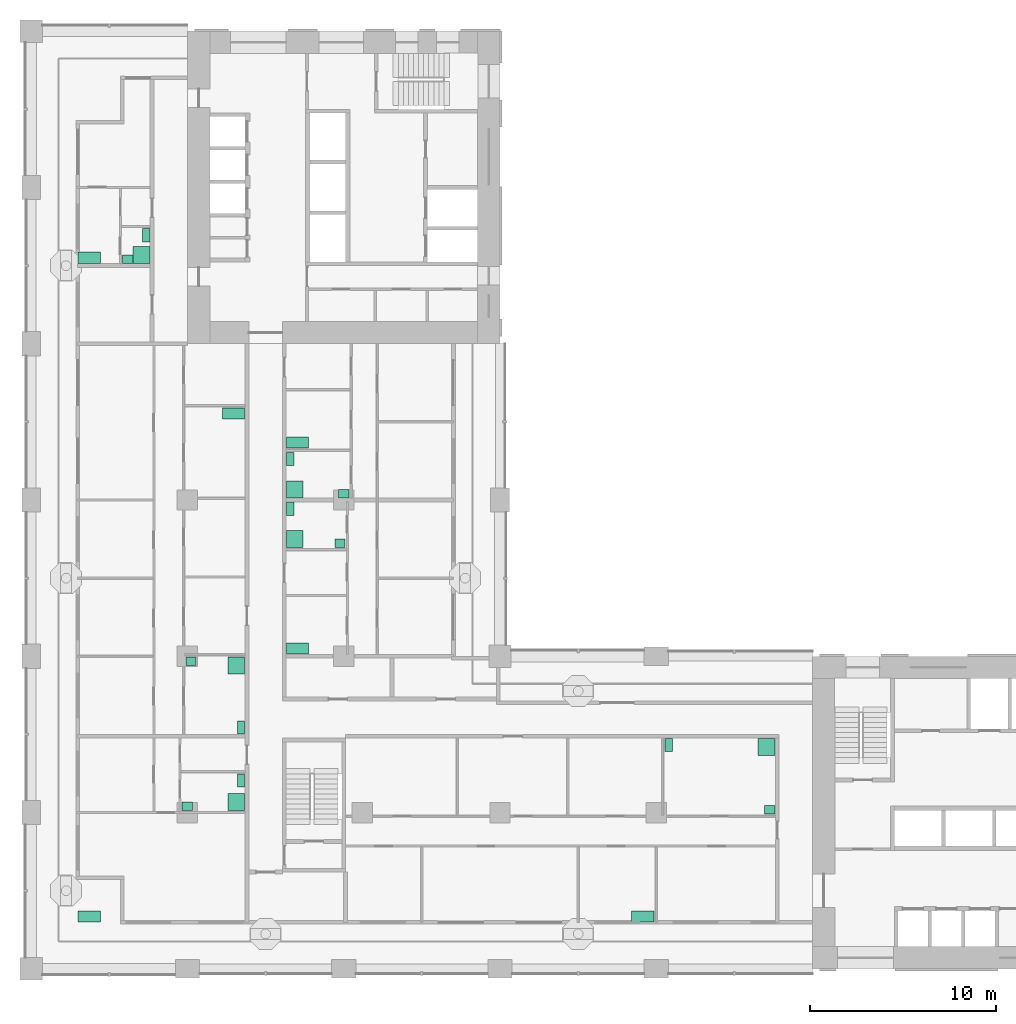
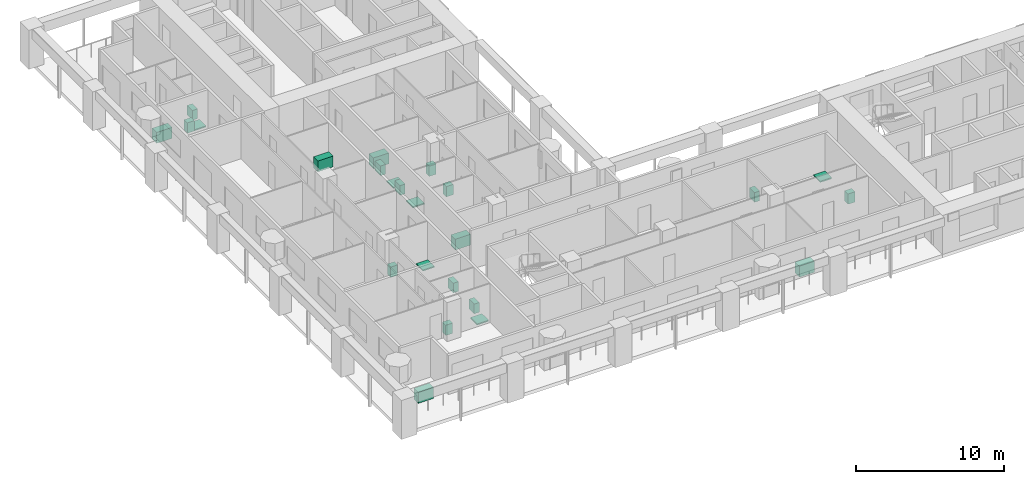
# One storey, part 16 of 18: 24 sanitary terminals.
"""IFC4 building model written with IfcOpenShell, lengths in metres."""

from ifc_helpers import new_model, si_unit, direction, frame, origin, origin_2d, place, context, subcontext, project, spatial, rectangle, extrude, material, element, save


model = new_model("IFC4")

# Units and contexts
model_context = context("Model", 3, precision=1e-05, world=origin(), true_north=direction((0.0, 1.0)))
body_context = subcontext(model_context, "Body", "Model", "MODEL_VIEW")
ifc_project = project(units=[si_unit("LENGTHUNIT", "METRE"), si_unit("AREAUNIT", "SQUARE_METRE"), si_unit("VOLUMEUNIT", "CUBIC_METRE"), si_unit("PLANEANGLEUNIT", "RADIAN"), si_unit("MASSUNIT", "GRAM", prefix="KILO")], contexts=[model_context])

# Site, building, storey
site_placement = place(None, origin())
site = spatial("IfcSite", under=ifc_project, at=site_placement, CompositionType="ELEMENT")
building_placement = place(site_placement, origin())
building = spatial("IfcBuilding", under=site, at=building_placement, Name="Vermilion Gate Residences", CompositionType="ELEMENT")
storey_placement = place(building_placement, frame((0.0, 0.0, 81.199951171875)))
storey = spatial("IfcBuildingStorey", under=building, at=storey_placement, Name="L19", CompositionType="ELEMENT", Elevation=81.199951171875)

# Sanitary terminals
ifc_material_1 = material(Name="Stainless steel", Category="steel")
sanitary_terminal_1_placement = place(storey_placement, frame((3.1201171875, 11.219970703125, 0.0), z_axis=(0.0, 0.0, 1.0), x_axis=(1.0, 0.0, 0.0)))
element("IfcSanitaryTerminal", 1, at=sanitary_terminal_1_placement, inside=storey, material=ifc_material_1, Name="Kitchen sink", PredefinedType="SINK", context=body_context, shape_type="SweptSolid", body=[
    extrude(rectangle(XDim=1.199951171875, YDim=0.60009765625, at=origin_2d()), origin(), (0.0, 0.0, 1.0), 0.89990234375),
])
ifc_material_2 = material(Name="Vitreous china")
sanitary_terminal_2_placement = place(storey_placement, frame((11.030029296875, 17.3701171875, 0.0), z_axis=(0.0, 0.0, 1.0), x_axis=(1.0, 0.0, 0.0)))
element("IfcSanitaryTerminal", 2, at=sanitary_terminal_2_placement, inside=storey, material=ifc_material_2, Name="Shower tray", PredefinedType="SHOWER", context=body_context, shape_type="SweptSolid", body=[
    extrude(rectangle(XDim=0.89990234375, YDim=0.89990234375, at=origin_2d()), origin(), (0.0, 0.0, 1.0), 0.10009765625),
])
sanitary_terminal_3_placement = place(storey_placement, frame((11.280029296875, 18.530029296875, 0.0), z_axis=(0.0, 0.0, 1.0), x_axis=(1.0, 0.0, 0.0)))
element("IfcSanitaryTerminal", 3, at=sanitary_terminal_3_placement, inside=storey, material=ifc_material_2, Name="Toilet", PredefinedType="TOILETPAN", context=body_context, shape_type="SweptSolid", body=[
    extrude(rectangle(XDim=0.39990234375, YDim=0.699951171875, at=origin_2d()), origin(), (0.0, 0.0, 1.0), 0.800048828125),
])
sanitary_terminal_4_placement = place(storey_placement, frame((8.39501953125, 17.14501953125, 0.0), z_axis=(0.0, 0.0, 1.0), x_axis=(1.0, 0.0, 0.0)))
element("IfcSanitaryTerminal", 4, at=sanitary_terminal_4_placement, inside=storey, material=ifc_material_2, Name="Wash basin", PredefinedType="WASHHANDBASIN", context=body_context, shape_type="SweptSolid", body=[
    extrude(rectangle(XDim=0.550048828125, YDim=0.449951171875, at=origin_2d()), origin(), (0.0, 0.0, 1.0), 0.85009765625),
])
sanitary_terminal_5_placement = place(storey_placement, frame((32.8798828125, 11.219970703125, 0.0), z_axis=(0.0, 0.0, 1.0), x_axis=(1.0, 0.0, 0.0)))
element("IfcSanitaryTerminal", 5, at=sanitary_terminal_5_placement, inside=storey, material=ifc_material_1, Name="Kitchen sink", PredefinedType="SINK", context=body_context, shape_type="SweptSolid", body=[
    extrude(rectangle(XDim=1.199951171875, YDim=0.60009765625, at=origin_2d()), origin(), (0.0, 0.0, 1.0), 0.89990234375),
])
sanitary_terminal_6_placement = place(storey_placement, frame((39.530029296875, 20.330078125, 0.0), z_axis=(0.0, 0.0, 1.0), x_axis=(1.0, 0.0, 0.0)))
element("IfcSanitaryTerminal", 6, at=sanitary_terminal_6_placement, inside=storey, material=ifc_material_2, Name="Shower tray", PredefinedType="SHOWER", context=body_context, shape_type="SweptSolid", body=[
    extrude(rectangle(XDim=0.89990234375, YDim=0.89990234375, at=origin_2d()), origin(), (0.0, 0.0, 1.0), 0.10009765625),
])
sanitary_terminal_7_placement = place(storey_placement, frame((34.27001953125, 20.429931640625, 0.0), z_axis=(0.0, 0.0, 1.0), x_axis=(1.0, 0.0, 0.0)))
element("IfcSanitaryTerminal", 7, at=sanitary_terminal_7_placement, inside=storey, material=ifc_material_2, Name="Toilet", PredefinedType="TOILETPAN", context=body_context, shape_type="SweptSolid", body=[
    extrude(rectangle(XDim=0.39990234375, YDim=0.699951171875, at=origin_2d()), origin(), (0.0, 0.0, 1.0), 0.800048828125),
])
sanitary_terminal_8_placement = place(storey_placement, frame((39.705078125, 16.945068359375, 0.0), z_axis=(0.0, 0.0, 1.0), x_axis=(1.0, 0.0, 0.0)))
element("IfcSanitaryTerminal", 8, at=sanitary_terminal_8_placement, inside=storey, material=ifc_material_2, Name="Wash basin", PredefinedType="WASHHANDBASIN", context=body_context, shape_type="SweptSolid", body=[
    extrude(rectangle(XDim=0.550048828125, YDim=0.449951171875, at=origin_2d()), origin(), (0.0, 0.0, 1.0), 0.85009765625),
])
sanitary_terminal_9_placement = place(storey_placement, frame((11.030029296875, 24.7099609375, 0.0), z_axis=(0.0, 0.0, 1.0), x_axis=(1.0, 0.0, 0.0)))
element("IfcSanitaryTerminal", 9, at=sanitary_terminal_9_placement, inside=storey, material=ifc_material_2, Name="Shower tray", PredefinedType="SHOWER", context=body_context, shape_type="SweptSolid", body=[
    extrude(rectangle(XDim=0.89990234375, YDim=0.89990234375, at=origin_2d()), origin(), (0.0, 0.0, 1.0), 0.10009765625),
])
sanitary_terminal_10_placement = place(storey_placement, frame((11.280029296875, 21.3701171875, 0.0), z_axis=(0.0, 0.0, 1.0), x_axis=(1.0, 0.0, 0.0)))
element("IfcSanitaryTerminal", 10, at=sanitary_terminal_10_placement, inside=storey, material=ifc_material_2, Name="Toilet", PredefinedType="TOILETPAN", context=body_context, shape_type="SweptSolid", body=[
    extrude(rectangle(XDim=0.39990234375, YDim=0.699951171875, at=origin_2d()), origin(), (0.0, 0.0, 1.0), 0.800048828125),
])
sanitary_terminal_11_placement = place(storey_placement, frame((8.594970703125, 24.93505859375, 0.0), z_axis=(0.0, 0.0, 1.0), x_axis=(1.0, 0.0, 0.0)))
element("IfcSanitaryTerminal", 11, at=sanitary_terminal_11_placement, inside=storey, material=ifc_material_2, Name="Wash basin", PredefinedType="WASHHANDBASIN", context=body_context, shape_type="SweptSolid", body=[
    extrude(rectangle(XDim=0.550048828125, YDim=0.449951171875, at=origin_2d()), origin(), (0.0, 0.0, 1.0), 0.85009765625),
])
for number, where, z_axis, x_axis, name in (
    (12, (10.8798828125, 38.25, 0.0), (0.0, 0.0, 1.0), (1.0, 0.0, 0.0), "Kitchen sink"),
    (13, (14.320068359375, 25.6201171875, 0.0), (0.0, 0.0, 1.0), (1.0, 0.0, 0.0), "Kitchen sink"),
):
    element("IfcSanitaryTerminal", number, at=place(storey_placement, frame(where, z_axis=z_axis, x_axis=x_axis)), inside=storey, material=ifc_material_1, Name=name, PredefinedType="SINK", context=body_context, shape_type="SweptSolid", body=[
        extrude(rectangle(XDim=1.199951171875, YDim=0.60009765625, at=origin_2d()), origin(), (0.0, 0.0, 1.0), 0.89990234375),
    ])
sanitary_terminal_12_placement = place(storey_placement, frame((14.169921875, 31.5029296875, 0.0), z_axis=(0.0, 0.0, 1.0), x_axis=(1.0, 0.0, 0.0)))
element("IfcSanitaryTerminal", 14, at=sanitary_terminal_12_placement, inside=storey, material=ifc_material_2, Name="Shower tray", PredefinedType="SHOWER", context=body_context, shape_type="SweptSolid", body=[
    extrude(rectangle(XDim=0.89990234375, YDim=0.89990234375, at=origin_2d()), origin(), (0.0, 0.0, 1.0), 0.10009765625),
])
sanitary_terminal_13_placement = place(storey_placement, frame((13.919921875, 33.1298828125, 0.0), z_axis=(0.0, 0.0, 1.0), x_axis=(1.0, 0.0, 0.0)))
element("IfcSanitaryTerminal", 15, at=sanitary_terminal_13_placement, inside=storey, material=ifc_material_2, Name="Toilet", PredefinedType="TOILETPAN", context=body_context, shape_type="SweptSolid", body=[
    extrude(rectangle(XDim=0.39990234375, YDim=0.699951171875, at=origin_2d()), origin(), (0.0, 0.0, 1.0), 0.800048828125),
])
sanitary_terminal_14_placement = place(storey_placement, frame((16.60498046875, 31.278076171875, 0.0), z_axis=(0.0, 0.0, 1.0), x_axis=(1.0, 0.0, 0.0)))
element("IfcSanitaryTerminal", 16, at=sanitary_terminal_14_placement, inside=storey, material=ifc_material_2, Name="Wash basin", PredefinedType="WASHHANDBASIN", context=body_context, shape_type="SweptSolid", body=[
    extrude(rectangle(XDim=0.550048828125, YDim=0.449951171875, at=origin_2d()), origin(), (0.0, 0.0, 1.0), 0.85009765625),
])
sanitary_terminal_15_placement = place(storey_placement, frame((14.169921875, 34.169921875, 0.0), z_axis=(0.0, 0.0, 1.0), x_axis=(1.0, 0.0, 0.0)))
element("IfcSanitaryTerminal", 17, at=sanitary_terminal_15_placement, inside=storey, material=ifc_material_2, Name="Shower tray", PredefinedType="SHOWER", context=body_context, shape_type="SweptSolid", body=[
    extrude(rectangle(XDim=0.89990234375, YDim=0.89990234375, at=origin_2d()), origin(), (0.0, 0.0, 1.0), 0.10009765625),
])
sanitary_terminal_16_placement = place(storey_placement, frame((13.919921875, 35.797119140625, 0.0), z_axis=(0.0, 0.0, 1.0), x_axis=(1.0, 0.0, 0.0)))
element("IfcSanitaryTerminal", 18, at=sanitary_terminal_16_placement, inside=storey, material=ifc_material_2, Name="Toilet", PredefinedType="TOILETPAN", context=body_context, shape_type="SweptSolid", body=[
    extrude(rectangle(XDim=0.39990234375, YDim=0.699951171875, at=origin_2d()), origin(), (0.0, 0.0, 1.0), 0.800048828125),
])
sanitary_terminal_17_placement = place(storey_placement, frame((16.804931640625, 33.945068359375, 0.0), z_axis=(0.0, 0.0, 1.0), x_axis=(1.0, 0.0, 0.0)))
element("IfcSanitaryTerminal", 19, at=sanitary_terminal_17_placement, inside=storey, material=ifc_material_2, Name="Wash basin", PredefinedType="WASHHANDBASIN", context=body_context, shape_type="SweptSolid", body=[
    extrude(rectangle(XDim=0.550048828125, YDim=0.449951171875, at=origin_2d()), origin(), (0.0, 0.0, 1.0), 0.85009765625),
])
for number, where, z_axis, x_axis, name in (
    (20, (14.320068359375, 36.68701171875, 0.0), (0.0, 0.0, 1.0), (1.0, 0.0, 0.0), "Kitchen sink"),
    (21, (3.1201171875, 46.6201171875, 0.0), (0.0, 0.0, 1.0), (1.0, 0.0, 0.0), "Kitchen sink"),
):
    element("IfcSanitaryTerminal", number, at=place(storey_placement, frame(where, z_axis=z_axis, x_axis=x_axis)), inside=storey, material=ifc_material_1, Name=name, PredefinedType="SINK", context=body_context, shape_type="SweptSolid", body=[
        extrude(rectangle(XDim=1.199951171875, YDim=0.60009765625, at=origin_2d()), origin(), (0.0, 0.0, 1.0), 0.89990234375),
    ])
sanitary_terminal_18_placement = place(storey_placement, frame((5.929931640625, 46.77001953125, 0.0), z_axis=(0.0, 0.0, 1.0), x_axis=(1.0, 0.0, 0.0)))
element("IfcSanitaryTerminal", 22, at=sanitary_terminal_18_placement, inside=storey, material=ifc_material_2, Name="Shower tray", PredefinedType="SHOWER", context=body_context, shape_type="SweptSolid", body=[
    extrude(rectangle(XDim=0.89990234375, YDim=0.89990234375, at=origin_2d()), origin(), (0.0, 0.0, 1.0), 0.10009765625),
])
sanitary_terminal_19_placement = place(storey_placement, frame((6.179931640625, 47.830078125, 0.0), z_axis=(0.0, 0.0, 1.0), x_axis=(1.0, 0.0, 0.0)))
element("IfcSanitaryTerminal", 23, at=sanitary_terminal_19_placement, inside=storey, material=ifc_material_2, Name="Toilet", PredefinedType="TOILETPAN", context=body_context, shape_type="SweptSolid", body=[
    extrude(rectangle(XDim=0.39990234375, YDim=0.699951171875, at=origin_2d()), origin(), (0.0, 0.0, 1.0), 0.800048828125),
])
sanitary_terminal_20_placement = place(storey_placement, frame((5.195068359375, 46.544921875, 0.0), z_axis=(0.0, 0.0, 1.0), x_axis=(1.0, 0.0, 0.0)))
element("IfcSanitaryTerminal", 24, at=sanitary_terminal_20_placement, inside=storey, material=ifc_material_2, Name="Wash basin", PredefinedType="WASHHANDBASIN", context=body_context, shape_type="SweptSolid", body=[
    extrude(rectangle(XDim=0.550048828125, YDim=0.449951171875, at=origin_2d()), origin(), (0.0, 0.0, 1.0), 0.85009765625),
])

save(model, "model.ifc")
